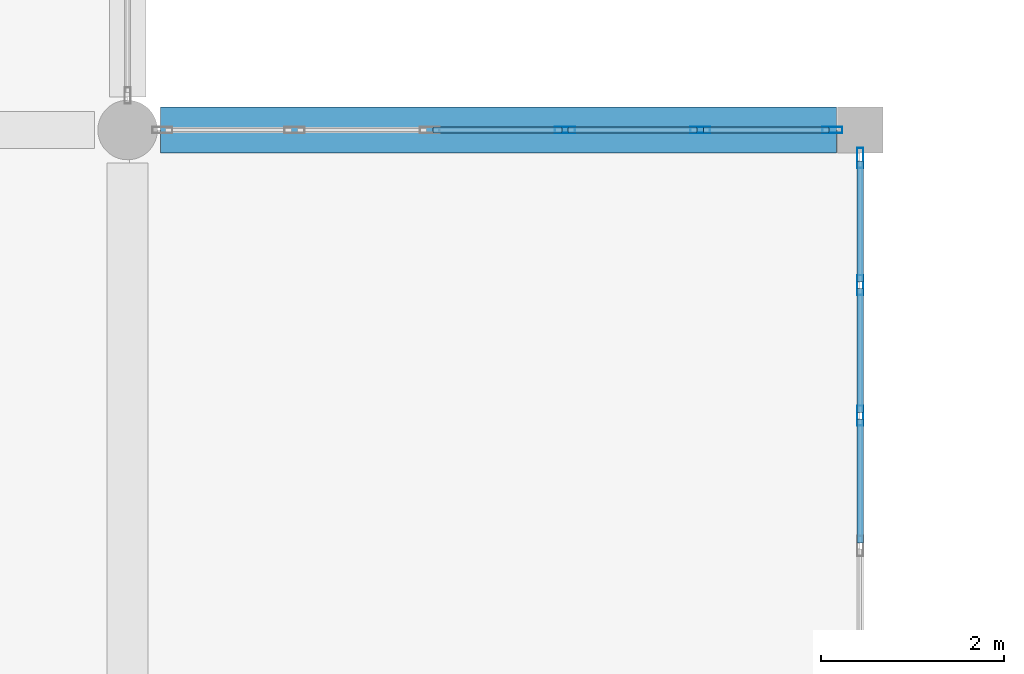
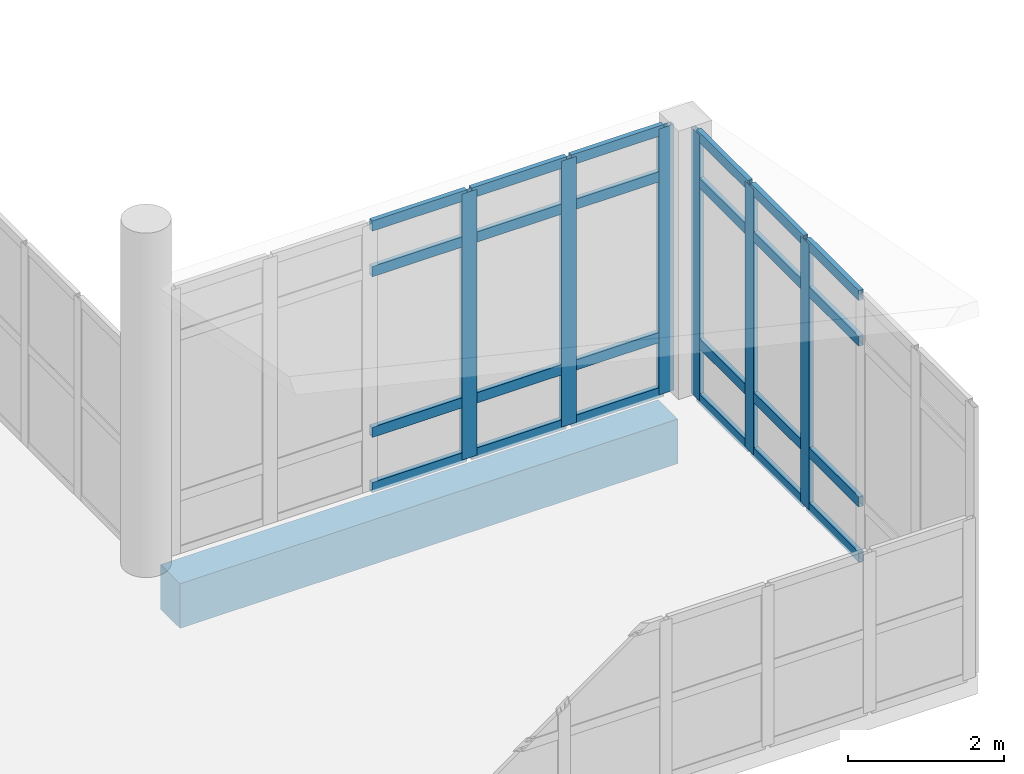
# One storey, part 64 of 164: 30 members, 1 beam, 2 elements without a shape of their own.
"""IFC4 building model written with IfcOpenShell, lengths in metres."""

import ifcopenshell
import ifcopenshell.guid

model = None  # the IFC model being written
_history = None  # IfcOwnerHistory: only IFC2X3 demands one
_inside = {}  # id of a spatial element -> (the spatial element, [elements in it])
_under = {}  # id of a project, library or spatial element -> (it, [spatial elements below it])
_declared = {}  # id of a project -> (the project, [libraries it declares])
_typed = {}  # id of a type object -> (the type object, [elements of that type])
_made_of = {}  # id of a material, layer set ... -> (it, [elements and type objects made of it])


def new_model(schema):
    """Start an empty IFC model of exactly this schema.

    Asked for "IFC4X3", IfcOpenShell would pick the latest addendum, in which some entities
    have other attributes; the version numbers below select the first issue.
    IFC2X3 requires an IfcOwnerHistory on every rooted entity: one is made here for all.
    """
    global model, _history
    if schema == "IFC4X3":
        model = ifcopenshell.file(schema_version=(4, 3, 0, 0))
    else:
        model = ifcopenshell.file(schema=schema)
    _inside.clear()
    _under.clear()
    _declared.clear()
    _typed.clear()
    _made_of.clear()
    _history = None
    if model.schema == "IFC2X3":
        org = make("IfcOrganization", Name="unknown")
        user = make(
            "IfcPersonAndOrganization",
            ThePerson=make("IfcPerson", FamilyName="unknown"),
            TheOrganization=org,
        )
        app = make(
            "IfcApplication",
            ApplicationDeveloper=org,
            Version="unknown",
            ApplicationFullName="unknown",
            ApplicationIdentifier="unknown",
        )
        _history = make(
            "IfcOwnerHistory",
            OwningUser=user,
            OwningApplication=app,
            ChangeAction="ADDED",
            CreationDate=0,
        )
    return model


def make(cls, **values):
    """One entity of the class cls with the attributes given. An attribute that is None is left unset."""
    return model.create_entity(
        cls, **{name: value for name, value in values.items() if value is not None}
    )


def rooted(cls, **values):
    """An entity with a GlobalId (a new one), such as an element, a storey or a relation."""
    return make(cls, GlobalId=ifcopenshell.guid.new(), OwnerHistory=_history, **values)


def si_unit(unit_type, name, prefix=None):
    """IfcSIUnit, for example si_unit("LENGTHUNIT", "METRE", prefix="MILLI")."""
    return make("IfcSIUnit", UnitType=unit_type, Prefix=prefix, Name=name)


def assignment(units):
    """IfcUnitAssignment: the units of a project."""
    return None if units is None else make("IfcUnitAssignment", Units=units)


def point(xyz):
    """IfcCartesianPoint."""
    return None if xyz is None else make("IfcCartesianPoint", Coordinates=xyz)


def direction(xyz):
    """IfcDirection."""
    return None if xyz is None else make("IfcDirection", DirectionRatios=xyz)


def frame(location, z_axis=None, x_axis=None):
    """IfcAxis2Placement3D, a coordinate frame: its origin and axes. An axis left out is left unset."""
    return make(
        "IfcAxis2Placement3D",
        Location=point(location),
        Axis=direction(z_axis),
        RefDirection=direction(x_axis),
    )


def frame_2d(location, x_axis=None):
    """IfcAxis2Placement2D, a coordinate frame in the plane: its origin and x axis."""
    return make(
        "IfcAxis2Placement2D", Location=point(location), RefDirection=direction(x_axis)
    )


def origin():
    """The frame at (0, 0, 0) with its axes left unset."""
    return frame((0.0, 0.0, 0.0))


def origin_2d():
    """The frame at (0, 0) in the plane with its x axis left unset."""
    return frame_2d((0.0, 0.0))


def place(relative_to, where):
    """IfcLocalPlacement: puts the frame where relative to a parent placement (None: the world)."""
    return make(
        "IfcLocalPlacement", PlacementRelTo=relative_to, RelativePlacement=where
    )


def context(
    kind, dimensions, precision=None, world=None, true_north=None, identifier=None
):
    """IfcGeometricRepresentationContext, for example the 3D "Model" context."""
    return make(
        "IfcGeometricRepresentationContext",
        ContextIdentifier=identifier,
        ContextType=kind,
        CoordinateSpaceDimension=dimensions,
        Precision=precision,
        WorldCoordinateSystem=world,
        TrueNorth=true_north,
    )


def subcontext(parent, identifier, kind, view, scale=None):
    """IfcGeometricRepresentationSubContext, for example "Body" below "Model"."""
    return make(
        "IfcGeometricRepresentationSubContext",
        ContextIdentifier=identifier,
        ContextType=kind,
        ParentContext=parent,
        TargetScale=scale,
        TargetView=view,
    )


def project(units=None, contexts=None):
    """IfcProject with its units and contexts."""
    return rooted(
        "IfcProject",
        Name="project",
        RepresentationContexts=contexts,
        UnitsInContext=assignment(units),
    )


def spatial(cls, under=None, at=None, **own):
    """A site, building, storey or space (cls), placed at a placement, below another one or the project."""
    s = rooted(cls, ObjectPlacement=at, **own)
    if under is not None:
        _under.setdefault(under.id(), (under, []))[1].append(s)
    return s


def profile(cls, at=None, kind="AREA", **sizes):
    """A parametric profile (cls). Its sizes go by their IFC names, for example OverallWidth=200.0."""
    return make(cls, ProfileType=kind, Position=at, **sizes)


def rectangle(**sizes):
    """IfcRectangleProfileDef."""
    return profile("IfcRectangleProfileDef", **sizes)


def hollow_rectangle(**sizes):
    """IfcRectangleHollowProfileDef."""
    return profile("IfcRectangleHollowProfileDef", **sizes)


def extrude(swept, where, along, depth):
    """IfcExtrudedAreaSolid: the profile swept, set in the frame where, extruded along a direction by depth."""
    return make(
        "IfcExtrudedAreaSolid",
        SweptArea=swept,
        Position=where,
        ExtrudedDirection=direction(along),
        Depth=depth,
    )


def shape(context_of_items, identifier, shape_type, items):
    """IfcShapeRepresentation: the items that make up one representation, for example the "Body"."""
    return make(
        "IfcShapeRepresentation",
        ContextOfItems=context_of_items,
        RepresentationIdentifier=identifier,
        RepresentationType=shape_type,
        Items=items,
    )


def material(Name=None, Category=None):
    """IfcMaterial."""
    return make("IfcMaterial", Name=Name, Category=Category)


def layer(
    of_material, thickness, ventilated=None, Name=None, Category=None, Priority=None
):
    """IfcMaterialLayer: one layer of a wall or slab, of a material (None: an air gap)."""
    return make(
        "IfcMaterialLayer",
        Material=of_material,
        LayerThickness=thickness,
        IsVentilated=ventilated,
        Name=Name,
        Category=Category,
        Priority=Priority,
    )


def layer_set(layers, Name=None):
    """IfcMaterialLayerSet."""
    return make("IfcMaterialLayerSet", MaterialLayers=layers, LayerSetName=Name)


def material_profile(
    of_material, cross_section, Name=None, Category=None, Priority=None
):
    """IfcMaterialProfile: a cross section and its material."""
    return make(
        "IfcMaterialProfile",
        Name=Name,
        Material=of_material,
        Profile=cross_section,
        Priority=Priority,
        Category=Category,
    )


def profile_set(profiles, Name=None, composite=None):
    """IfcMaterialProfileSet."""
    return make(
        "IfcMaterialProfileSet",
        Name=Name,
        MaterialProfiles=profiles,
        CompositeProfile=composite,
    )


def made_of(thing, what):
    """Note that an element or type object is made of a material, layer set ...; save() writes the relation."""
    if what is not None:
        _made_of.setdefault(what.id(), (what, []))[1].append(thing)
    return thing


def type_object(cls, material=None, **own):
    """A type object (cls), such as IfcWallType, which elements share."""
    return made_of(rooted(cls, **own), material)


def element(
    cls,
    number,
    at=None,
    inside=None,
    cuts=None,
    type_object=None,
    material=None,
    context=None,
    identifier="Body",
    shape_type=None,
    held_by="IfcProductDefinitionShape",
    body=None,
    shapes=None,
    **own,
):
    """One element of the class cls, such as IfcWall. Its Tag is "e" and its number.

    at: its placement. inside: the storey or other place that contains it. cuts: it is an
    opening in that element (IfcRelVoidsElement). A single representation is given by context,
    identifier, shape_type and body (its items); several are given by shapes. held_by: the class
    of the entity that holds the representations. save() writes the other relations.
    """
    e = rooted(cls, Tag="e%d" % number, ObjectPlacement=at, **own)
    if body is not None:
        shapes = [shape(context, identifier, shape_type, body)]
    if shapes is not None:
        e.Representation = make(held_by, Representations=shapes)
    if inside is not None:
        _inside.setdefault(inside.id(), (inside, []))[1].append(e)
    if cuts is not None:
        rooted(
            "IfcRelVoidsElement", RelatingBuildingElement=cuts, RelatedOpeningElement=e
        )
    if type_object is not None:
        _typed.setdefault(type_object.id(), (type_object, []))[1].append(e)
    return made_of(e, material)


def aggregate(whole, parts):
    """IfcRelAggregates: a whole, such as a stair, and the parts it consists of."""
    return rooted("IfcRelAggregates", RelatingObject=whole, RelatedObjects=parts)


def save(model, path):
    """Write the relations noted so far, then the file.

    IfcRelAggregates (storeys below a building ...), IfcRelContainedInSpatialStructure (elements
    in a storey), IfcRelDefinesByType, IfcRelAssociatesMaterial and IfcRelDeclares: one each for
    every whole, place, type object, material and project.
    """
    for whole, parts in _under.values():
        aggregate(whole, parts)
    for where, things in _inside.values():
        rooted(
            "IfcRelContainedInSpatialStructure",
            RelatedElements=things,
            RelatingStructure=where,
        )
    for kind, things in _typed.values():
        rooted("IfcRelDefinesByType", RelatedObjects=things, RelatingType=kind)
    for what, things in _made_of.values():
        rooted("IfcRelAssociatesMaterial", RelatedObjects=things, RelatingMaterial=what)
    for by, libraries in _declared.values():
        rooted("IfcRelDeclares", RelatingContext=by, RelatedDefinitions=libraries)
    model.write(path)


model = new_model("IFC4")

# Units and contexts
model_context = context("Model", 3, precision=1e-05, world=origin(), true_north=direction((0.0, 1.0)))
body_context = subcontext(model_context, "Body", "Model", "MODEL_VIEW")
ifc_project = project(units=[si_unit("LENGTHUNIT", "METRE"), si_unit("AREAUNIT", "SQUARE_METRE"), si_unit("VOLUMEUNIT", "CUBIC_METRE"), si_unit("PLANEANGLEUNIT", "RADIAN"), si_unit("MASSUNIT", "GRAM", prefix="KILO")], contexts=[model_context])

# Site, building, storey
site_placement = place(None, origin())
site = spatial("IfcSite", under=ifc_project, at=site_placement, CompositionType="ELEMENT")
building_placement = place(site_placement, origin())
building = spatial("IfcBuilding", under=site, at=building_placement, Name="Mawjan Specialist Oncology Clinic", CompositionType="ELEMENT")
storey_placement = place(building_placement, frame((0.0, 0.0, 5.0)))
storey = spatial("IfcBuildingStorey", under=building, at=storey_placement, Name="L01", CompositionType="ELEMENT", Elevation=5.0)

# Curtain wall, members
ifc_material_1 = material(Name="Unitised spectrally selective aluminium curtain wall", Category="aluminium")
ifc_layer_1 = layer(ifc_material_1, 0.179931640625, Name="Unitised spectrally selective aluminium curtain wall", Category="aluminium")
ifc_layer_set_1 = layer_set([ifc_layer_1], Name="Unitised spectrally selective aluminium curtain wall")
curtain_wall_type_1 = type_object("IfcCurtainWallType", Name="CW-67", PredefinedType="NOTDEFINED", material=ifc_layer_set_1)
curtain_wall_1_placement = place(storey_placement, origin())
curtain_wall_1 = element("IfcCurtainWall", 1, at=curtain_wall_1_placement, inside=storey, type_object=curtain_wall_type_1, Name="L01 Unitised Curtain Wall CW-L01-135", PredefinedType="NOTDEFINED")
ifc_material_2 = material(Name="Thermally broken aluminium 6063-T6", Category="aluminium")
ifc_material_profile_1 = material_profile(ifc_material_2, hollow_rectangle(XDim=0.070068359375, YDim=0.219970703125, WallThickness=0.00390625, at=origin_2d()), Name="ALU MULLION 220x70x4", Category="aluminium")
ifc_profile_set_1 = profile_set([ifc_material_profile_1], Name="Thermally broken aluminium 6063-T6")
member_type_1 = type_object("IfcMemberType", Name="CW-M220", PredefinedType="MULLION", material=ifc_profile_set_1)
member_1_placement = place(storey_placement, frame((112.77587890625, 53.300048828125, 0.0), z_axis=(0.0, 0.0, 1.0), x_axis=(0.0, 1.0, 0.0)))
member_1 = element("IfcMember", 2, at=member_1_placement, type_object=member_type_1, Name="CW-67 mullion 4", PredefinedType="MULLION", context=body_context, shape_type="SweptSolid", body=[
    extrude(hollow_rectangle(XDim=0.070068359375, YDim=0.219970703125, WallThickness=0.00390625, at=origin_2d()), origin(), (0.0, 0.0, 1.0), 4.169921875),
])
member_2_placement = place(storey_placement, frame((114.2529296875, 53.300048828125, 0.0), z_axis=(0.0, 0.0, 1.0), x_axis=(0.0, 1.0, 0.0)))
member_2 = element("IfcMember", 3, at=member_2_placement, type_object=member_type_1, Name="CW-67 mullion 5", PredefinedType="MULLION", context=body_context, shape_type="SweptSolid", body=[
    extrude(hollow_rectangle(XDim=0.070068359375, YDim=0.219970703125, WallThickness=0.00390625, at=origin_2d()), origin(), (0.0, 0.0, 1.0), 4.169921875),
])
member_3_placement = place(storey_placement, frame((115.695068359375, 53.300048828125, 0.0), z_axis=(0.0, 0.0, 1.0), x_axis=(0.0, 1.0, 0.0)))
member_3 = element("IfcMember", 4, at=member_3_placement, type_object=member_type_1, Name="CW-67 mullion 6", PredefinedType="MULLION", context=body_context, shape_type="SweptSolid", body=[
    extrude(hollow_rectangle(XDim=0.070068359375, YDim=0.219970703125, WallThickness=0.00390625, at=origin_2d()), origin(), (0.0, 0.0, 1.0), 4.169921875),
])

ifc_material_3 = material(Name="Unitised spectrally selective aluminium curtain wall", Category="aluminium")
ifc_layer_2 = layer(ifc_material_3, 0.179931640625, Name="Unitised spectrally selective aluminium curtain wall", Category="aluminium")
ifc_layer_set_2 = layer_set([ifc_layer_2], Name="Unitised spectrally selective aluminium curtain wall")
curtain_wall_type_2 = type_object("IfcCurtainWallType", Name="CW-68", PredefinedType="NOTDEFINED", material=ifc_layer_set_2)
curtain_wall_2_placement = place(storey_placement, origin())
curtain_wall_2 = element("IfcCurtainWall", 5, at=curtain_wall_2_placement, inside=storey, type_object=curtain_wall_type_2, Name="L01 Unitised Curtain Wall CW-L01-136", PredefinedType="NOTDEFINED")
member_4_placement = place(storey_placement, frame((116.0, 52.9951171875, 0.0), z_axis=(0.0, 0.0, 1.0), x_axis=(1.0, 0.0, 0.0)))
member_4 = element("IfcMember", 6, at=member_4_placement, type_object=member_type_1, Name="CW-68 mullion 1", PredefinedType="MULLION", context=body_context, shape_type="SweptSolid", body=[
    extrude(hollow_rectangle(XDim=0.070068359375, YDim=0.219970703125, WallThickness=0.00390625, at=origin_2d()), origin(), (0.0, 0.0, 1.0), 4.169921875),
])
member_5_placement = place(storey_placement, frame((116.0, 51.60595703125, 0.0), z_axis=(0.0, 0.0, 1.0), x_axis=(1.0, 0.0, 0.0)))
member_5 = element("IfcMember", 7, at=member_5_placement, type_object=member_type_1, Name="CW-68 mullion 2", PredefinedType="MULLION", context=body_context, shape_type="SweptSolid", body=[
    extrude(hollow_rectangle(XDim=0.070068359375, YDim=0.219970703125, WallThickness=0.00390625, at=origin_2d()), origin(), (0.0, 0.0, 1.0), 4.169921875),
])
member_6_placement = place(storey_placement, frame((116.0, 50.181884765625, 0.0), z_axis=(0.0, 0.0, 1.0), x_axis=(1.0, 0.0, 0.0)))
member_6 = element("IfcMember", 8, at=member_6_placement, type_object=member_type_1, Name="CW-68 mullion 3", PredefinedType="MULLION", context=body_context, shape_type="SweptSolid", body=[
    extrude(hollow_rectangle(XDim=0.070068359375, YDim=0.219970703125, WallThickness=0.00390625, at=origin_2d()), origin(), (0.0, 0.0, 1.0), 4.169921875),
])

# Member
ifc_material_4 = material(Name="Thermally broken aluminium 6063-T6", Category="aluminium")
ifc_material_profile_2 = material_profile(ifc_material_4, hollow_rectangle(XDim=0.070068359375, YDim=0.159912109375, WallThickness=0.00390625, at=origin_2d()), Name="ALU TRANSOM 160x70x4", Category="aluminium")
ifc_profile_set_2 = profile_set([ifc_material_profile_2], Name="Thermally broken aluminium 6063-T6")
member_type_2 = type_object("IfcMemberType", Name="CW-T160", PredefinedType="USERDEFINED", material=ifc_profile_set_2)
member_7_placement = place(storey_placement, frame((111.333984375, 53.300048828125, 0.034912109375), z_axis=(1.0, 0.0, 0.0), x_axis=(0.0, 1.0, 0.0)))
member_7 = element("IfcMember", 9, at=member_7_placement, type_object=member_type_2, Name="CW-67 transom 3.1", ObjectType="TRANSOM", PredefinedType="USERDEFINED", context=body_context, shape_type="SweptSolid", body=[
    extrude(hollow_rectangle(XDim=0.070068359375, YDim=0.159912109375, WallThickness=0.00390625, at=origin_2d()), origin(), (0.0, 0.0, 1.0), 1.406982421875),
])

member_8_placement = place(storey_placement, frame((111.333984375, 53.300048828125, 0.89990234375), z_axis=(1.0, 0.0, 0.0), x_axis=(0.0, 1.0, 0.0)))
member_8 = element("IfcMember", 10, at=member_8_placement, type_object=member_type_2, Name="CW-67 transom 3.2", ObjectType="TRANSOM", PredefinedType="USERDEFINED", context=body_context, shape_type="SweptSolid", body=[
    extrude(hollow_rectangle(XDim=0.070068359375, YDim=0.159912109375, WallThickness=0.00390625, at=origin_2d()), origin(), (0.0, 0.0, 1.0), 1.406982421875),
])

member_9_placement = place(storey_placement, frame((111.333984375, 53.300048828125, 3.419921875), z_axis=(1.0, 0.0, 0.0), x_axis=(0.0, 1.0, 0.0)))
member_9 = element("IfcMember", 11, at=member_9_placement, type_object=member_type_2, Name="CW-67 transom 3.3", ObjectType="TRANSOM", PredefinedType="USERDEFINED", context=body_context, shape_type="SweptSolid", body=[
    extrude(hollow_rectangle(XDim=0.070068359375, YDim=0.159912109375, WallThickness=0.00390625, at=origin_2d()), origin(), (0.0, 0.0, 1.0), 1.406982421875),
])

member_10_placement = place(storey_placement, frame((111.333984375, 53.300048828125, 4.135009765625), z_axis=(1.0, 0.0, 0.0), x_axis=(0.0, 1.0, 0.0)))
member_10 = element("IfcMember", 12, at=member_10_placement, type_object=member_type_2, Name="CW-67 transom 3.4", ObjectType="TRANSOM", PredefinedType="USERDEFINED", context=body_context, shape_type="SweptSolid", body=[
    extrude(hollow_rectangle(XDim=0.070068359375, YDim=0.159912109375, WallThickness=0.00390625, at=origin_2d()), origin(), (0.0, 0.0, 1.0), 1.406982421875),
])

member_11_placement = place(storey_placement, frame((112.81103515625, 53.300048828125, 0.034912109375), z_axis=(1.0, 0.0, 0.0), x_axis=(0.0, 1.0, 0.0)))
member_11 = element("IfcMember", 13, at=member_11_placement, type_object=member_type_2, Name="CW-67 transom 4.1", ObjectType="TRANSOM", PredefinedType="USERDEFINED", context=body_context, shape_type="SweptSolid", body=[
    extrude(hollow_rectangle(XDim=0.070068359375, YDim=0.159912109375, WallThickness=0.00390625, at=origin_2d()), origin(), (0.0, 0.0, 1.0), 1.406982421875),
])

member_12_placement = place(storey_placement, frame((112.81103515625, 53.300048828125, 0.89990234375), z_axis=(1.0, 0.0, 0.0), x_axis=(0.0, 1.0, 0.0)))
member_12 = element("IfcMember", 14, at=member_12_placement, type_object=member_type_2, Name="CW-67 transom 4.2", ObjectType="TRANSOM", PredefinedType="USERDEFINED", context=body_context, shape_type="SweptSolid", body=[
    extrude(hollow_rectangle(XDim=0.070068359375, YDim=0.159912109375, WallThickness=0.00390625, at=origin_2d()), origin(), (0.0, 0.0, 1.0), 1.406982421875),
])

member_13_placement = place(storey_placement, frame((112.81103515625, 53.300048828125, 3.419921875), z_axis=(1.0, 0.0, 0.0), x_axis=(0.0, 1.0, 0.0)))
member_13 = element("IfcMember", 15, at=member_13_placement, type_object=member_type_2, Name="CW-67 transom 4.3", ObjectType="TRANSOM", PredefinedType="USERDEFINED", context=body_context, shape_type="SweptSolid", body=[
    extrude(hollow_rectangle(XDim=0.070068359375, YDim=0.159912109375, WallThickness=0.00390625, at=origin_2d()), origin(), (0.0, 0.0, 1.0), 1.406982421875),
])

member_14_placement = place(storey_placement, frame((112.81103515625, 53.300048828125, 4.135009765625), z_axis=(1.0, 0.0, 0.0), x_axis=(0.0, 1.0, 0.0)))
member_14 = element("IfcMember", 16, at=member_14_placement, type_object=member_type_2, Name="CW-67 transom 4.4", ObjectType="TRANSOM", PredefinedType="USERDEFINED", context=body_context, shape_type="SweptSolid", body=[
    extrude(hollow_rectangle(XDim=0.070068359375, YDim=0.159912109375, WallThickness=0.00390625, at=origin_2d()), origin(), (0.0, 0.0, 1.0), 1.406982421875),
])

member_15_placement = place(storey_placement, frame((114.2880859375, 53.300048828125, 0.034912109375), z_axis=(1.0, 0.0, 0.0), x_axis=(0.0, 1.0, 0.0)))
member_15 = element("IfcMember", 17, at=member_15_placement, type_object=member_type_2, Name="CW-67 transom 5.1", ObjectType="TRANSOM", PredefinedType="USERDEFINED", context=body_context, shape_type="SweptSolid", body=[
    extrude(hollow_rectangle(XDim=0.070068359375, YDim=0.159912109375, WallThickness=0.00390625, at=origin_2d()), origin(), (0.0, 0.0, 1.0), 1.371826171875),
])

member_16_placement = place(storey_placement, frame((114.2880859375, 53.300048828125, 0.89990234375), z_axis=(1.0, 0.0, 0.0), x_axis=(0.0, 1.0, 0.0)))
member_16 = element("IfcMember", 18, at=member_16_placement, type_object=member_type_2, Name="CW-67 transom 5.2", ObjectType="TRANSOM", PredefinedType="USERDEFINED", context=body_context, shape_type="SweptSolid", body=[
    extrude(hollow_rectangle(XDim=0.070068359375, YDim=0.159912109375, WallThickness=0.00390625, at=origin_2d()), origin(), (0.0, 0.0, 1.0), 1.371826171875),
])

member_17_placement = place(storey_placement, frame((114.2880859375, 53.300048828125, 3.419921875), z_axis=(1.0, 0.0, 0.0), x_axis=(0.0, 1.0, 0.0)))
member_17 = element("IfcMember", 19, at=member_17_placement, type_object=member_type_2, Name="CW-67 transom 5.3", ObjectType="TRANSOM", PredefinedType="USERDEFINED", context=body_context, shape_type="SweptSolid", body=[
    extrude(hollow_rectangle(XDim=0.070068359375, YDim=0.159912109375, WallThickness=0.00390625, at=origin_2d()), origin(), (0.0, 0.0, 1.0), 1.371826171875),
])

member_18_placement = place(storey_placement, frame((114.2880859375, 53.300048828125, 4.135009765625), z_axis=(1.0, 0.0, 0.0), x_axis=(0.0, 1.0, 0.0)))
member_18 = element("IfcMember", 20, at=member_18_placement, type_object=member_type_2, Name="CW-67 transom 5.4", ObjectType="TRANSOM", PredefinedType="USERDEFINED", context=body_context, shape_type="SweptSolid", body=[
    extrude(hollow_rectangle(XDim=0.070068359375, YDim=0.159912109375, WallThickness=0.00390625, at=origin_2d()), origin(), (0.0, 0.0, 1.0), 1.371826171875),
])

aggregate(curtain_wall_1, [member_1, member_2, member_3, member_7, member_8, member_9, member_10, member_11, member_12, member_13, member_14, member_15, member_16, member_17, member_18])

member_19_placement = place(storey_placement, frame((116.0, 52.9599609375, 0.034912109375), z_axis=(0.0, -1.0, 0.0), x_axis=(1.0, 0.0, 0.0)))
member_19 = element("IfcMember", 21, at=member_19_placement, type_object=member_type_2, Name="CW-68 transom 1.1", ObjectType="TRANSOM", PredefinedType="USERDEFINED", context=body_context, shape_type="SweptSolid", body=[
    extrude(hollow_rectangle(XDim=0.070068359375, YDim=0.159912109375, WallThickness=0.00390625, at=origin_2d()), origin(), (0.0, 0.0, 1.0), 1.31884765625),
])

member_20_placement = place(storey_placement, frame((116.0, 52.9599609375, 0.89990234375), z_axis=(0.0, -1.0, 0.0), x_axis=(1.0, 0.0, 0.0)))
member_20 = element("IfcMember", 22, at=member_20_placement, type_object=member_type_2, Name="CW-68 transom 1.2", ObjectType="TRANSOM", PredefinedType="USERDEFINED", context=body_context, shape_type="SweptSolid", body=[
    extrude(hollow_rectangle(XDim=0.070068359375, YDim=0.159912109375, WallThickness=0.00390625, at=origin_2d()), origin(), (0.0, 0.0, 1.0), 1.31884765625),
])

member_21_placement = place(storey_placement, frame((116.0, 52.9599609375, 3.419921875), z_axis=(0.0, -1.0, 0.0), x_axis=(1.0, 0.0, 0.0)))
member_21 = element("IfcMember", 23, at=member_21_placement, type_object=member_type_2, Name="CW-68 transom 1.3", ObjectType="TRANSOM", PredefinedType="USERDEFINED", context=body_context, shape_type="SweptSolid", body=[
    extrude(hollow_rectangle(XDim=0.070068359375, YDim=0.159912109375, WallThickness=0.00390625, at=origin_2d()), origin(), (0.0, 0.0, 1.0), 1.31884765625),
])

member_22_placement = place(storey_placement, frame((116.0, 52.9599609375, 4.135009765625), z_axis=(0.0, -1.0, 0.0), x_axis=(1.0, 0.0, 0.0)))
member_22 = element("IfcMember", 24, at=member_22_placement, type_object=member_type_2, Name="CW-68 transom 1.4", ObjectType="TRANSOM", PredefinedType="USERDEFINED", context=body_context, shape_type="SweptSolid", body=[
    extrude(hollow_rectangle(XDim=0.070068359375, YDim=0.159912109375, WallThickness=0.00390625, at=origin_2d()), origin(), (0.0, 0.0, 1.0), 1.31884765625),
])

member_23_placement = place(storey_placement, frame((116.0, 51.571044921875, 0.034912109375), z_axis=(0.0, -1.0, 0.0), x_axis=(1.0, 0.0, 0.0)))
member_23 = element("IfcMember", 25, at=member_23_placement, type_object=member_type_2, Name="CW-68 transom 2.1", ObjectType="TRANSOM", PredefinedType="USERDEFINED", context=body_context, shape_type="SweptSolid", body=[
    extrude(hollow_rectangle(XDim=0.070068359375, YDim=0.159912109375, WallThickness=0.00390625, at=origin_2d()), origin(), (0.0, 0.0, 1.0), 1.35400390625),
])

member_24_placement = place(storey_placement, frame((116.0, 51.571044921875, 0.89990234375), z_axis=(0.0, -1.0, 0.0), x_axis=(1.0, 0.0, 0.0)))
member_24 = element("IfcMember", 26, at=member_24_placement, type_object=member_type_2, Name="CW-68 transom 2.2", ObjectType="TRANSOM", PredefinedType="USERDEFINED", context=body_context, shape_type="SweptSolid", body=[
    extrude(hollow_rectangle(XDim=0.070068359375, YDim=0.159912109375, WallThickness=0.00390625, at=origin_2d()), origin(), (0.0, 0.0, 1.0), 1.35400390625),
])

member_25_placement = place(storey_placement, frame((116.0, 51.571044921875, 3.419921875), z_axis=(0.0, -1.0, 0.0), x_axis=(1.0, 0.0, 0.0)))
member_25 = element("IfcMember", 27, at=member_25_placement, type_object=member_type_2, Name="CW-68 transom 2.3", ObjectType="TRANSOM", PredefinedType="USERDEFINED", context=body_context, shape_type="SweptSolid", body=[
    extrude(hollow_rectangle(XDim=0.070068359375, YDim=0.159912109375, WallThickness=0.00390625, at=origin_2d()), origin(), (0.0, 0.0, 1.0), 1.35400390625),
])

member_26_placement = place(storey_placement, frame((116.0, 51.571044921875, 4.135009765625), z_axis=(0.0, -1.0, 0.0), x_axis=(1.0, 0.0, 0.0)))
member_26 = element("IfcMember", 28, at=member_26_placement, type_object=member_type_2, Name="CW-68 transom 2.4", ObjectType="TRANSOM", PredefinedType="USERDEFINED", context=body_context, shape_type="SweptSolid", body=[
    extrude(hollow_rectangle(XDim=0.070068359375, YDim=0.159912109375, WallThickness=0.00390625, at=origin_2d()), origin(), (0.0, 0.0, 1.0), 1.35400390625),
])

member_27_placement = place(storey_placement, frame((116.0, 50.14697265625, 0.034912109375), z_axis=(0.0, -1.0, 0.0), x_axis=(1.0, 0.0, 0.0)))
member_27 = element("IfcMember", 29, at=member_27_placement, type_object=member_type_2, Name="CW-68 transom 3.1", ObjectType="TRANSOM", PredefinedType="USERDEFINED", context=body_context, shape_type="SweptSolid", body=[
    extrude(hollow_rectangle(XDim=0.070068359375, YDim=0.159912109375, WallThickness=0.00390625, at=origin_2d()), origin(), (0.0, 0.0, 1.0), 1.35400390625),
])

member_28_placement = place(storey_placement, frame((116.0, 50.14697265625, 0.89990234375), z_axis=(0.0, -1.0, 0.0), x_axis=(1.0, 0.0, 0.0)))
member_28 = element("IfcMember", 30, at=member_28_placement, type_object=member_type_2, Name="CW-68 transom 3.2", ObjectType="TRANSOM", PredefinedType="USERDEFINED", context=body_context, shape_type="SweptSolid", body=[
    extrude(hollow_rectangle(XDim=0.070068359375, YDim=0.159912109375, WallThickness=0.00390625, at=origin_2d()), origin(), (0.0, 0.0, 1.0), 1.35400390625),
])

member_29_placement = place(storey_placement, frame((116.0, 50.14697265625, 3.419921875), z_axis=(0.0, -1.0, 0.0), x_axis=(1.0, 0.0, 0.0)))
member_29 = element("IfcMember", 31, at=member_29_placement, type_object=member_type_2, Name="CW-68 transom 3.3", ObjectType="TRANSOM", PredefinedType="USERDEFINED", context=body_context, shape_type="SweptSolid", body=[
    extrude(hollow_rectangle(XDim=0.070068359375, YDim=0.159912109375, WallThickness=0.00390625, at=origin_2d()), origin(), (0.0, 0.0, 1.0), 1.35400390625),
])

member_30_placement = place(storey_placement, frame((116.0, 50.14697265625, 4.135009765625), z_axis=(0.0, -1.0, 0.0), x_axis=(1.0, 0.0, 0.0)))
member_30 = element("IfcMember", 32, at=member_30_placement, type_object=member_type_2, Name="CW-68 transom 3.4", ObjectType="TRANSOM", PredefinedType="USERDEFINED", context=body_context, shape_type="SweptSolid", body=[
    extrude(hollow_rectangle(XDim=0.070068359375, YDim=0.159912109375, WallThickness=0.00390625, at=origin_2d()), origin(), (0.0, 0.0, 1.0), 1.35400390625),
])

aggregate(curtain_wall_2, [member_4, member_5, member_6, member_19, member_20, member_21, member_22, member_23, member_24, member_25, member_26, member_27, member_28, member_29, member_30])

# Beam
ifc_material_5 = material(Name="Concrete C45/55", Category="concrete")
ifc_material_profile_3 = material_profile(ifc_material_5, rectangle(XDim=0.5, YDim=0.699951171875, at=origin_2d()), Name="RC BM 500x700", Category="concrete")
ifc_profile_set_3 = profile_set([ifc_material_profile_3], Name="Concrete C45/55")
beam_type = type_object("IfcBeamType", Name="SP-500x700", PredefinedType="SPANDREL", material=ifc_profile_set_3)
beam_placement = place(storey_placement, frame((108.360107421875, 53.300048828125, -0.64990234375), z_axis=(1.0, 0.0, 0.0), x_axis=(0.0, 1.0, 0.0)))
element("IfcBeam", 33, at=beam_placement, inside=storey, type_object=beam_type, Name="L01 Spandrel Beam BM-L01-0290", PredefinedType="SPANDREL", context=body_context, shape_type="SweptSolid", body=[
    extrude(rectangle(XDim=0.5, YDim=0.699951171875, at=origin_2d()), origin(), (0.0, 0.0, 1.0), 7.3798828125),
])

save(model, "model.ifc")
